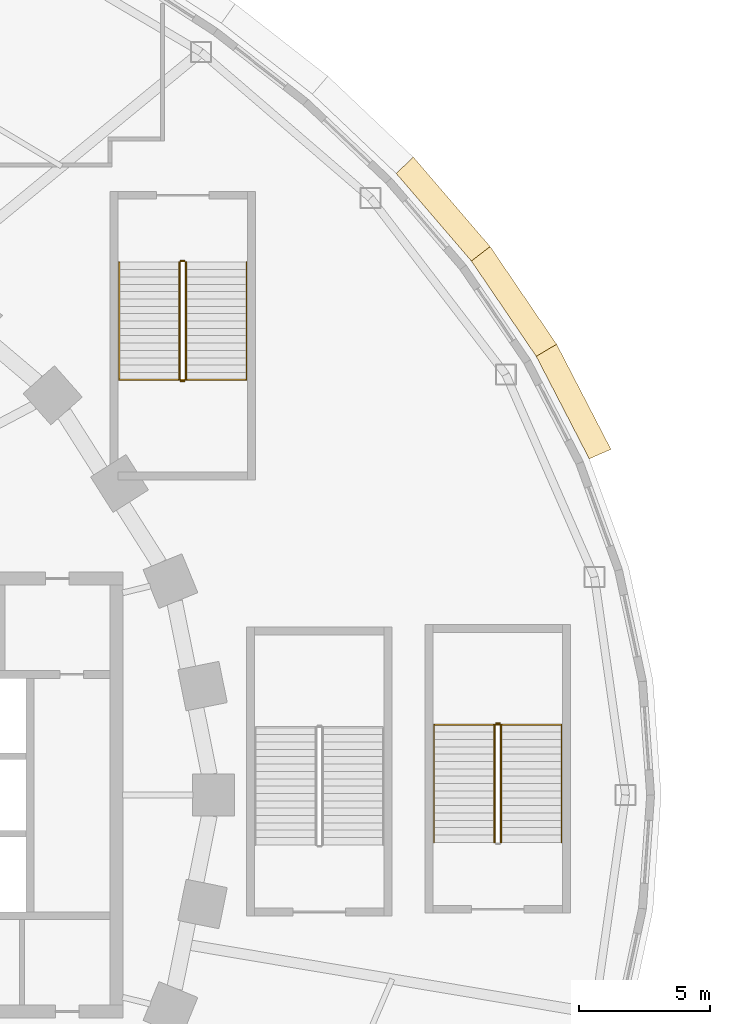
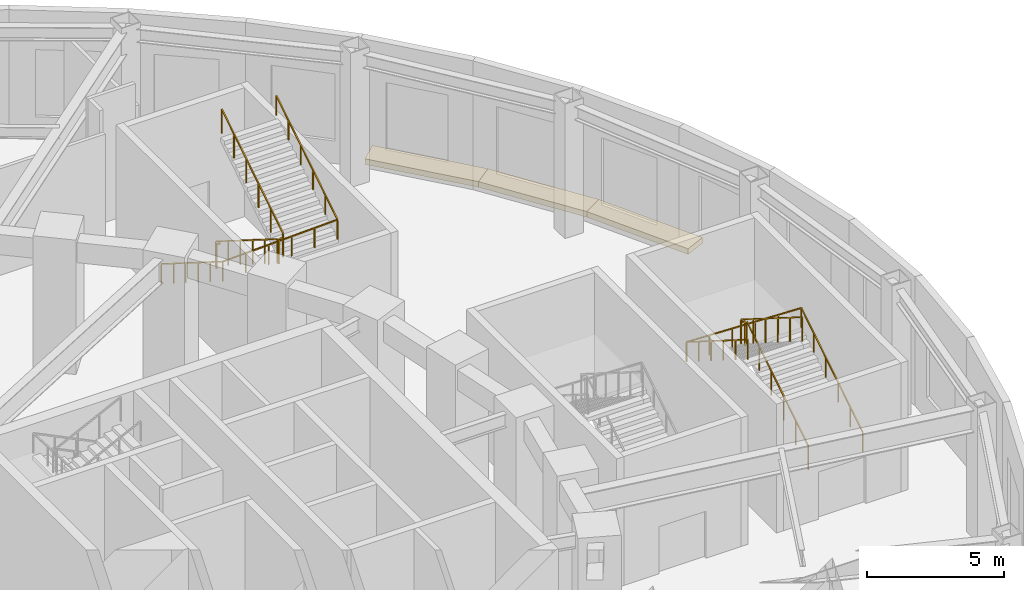
# One storey, part 72 of 74: 9 railings, 3 coverings.
"""IFC4 building model written with IfcOpenShell, lengths in metres."""

from ifc_helpers import new_model, si_unit, direction, frame, origin, origin_2d, place, context, subcontext, project, spatial, polyline, rectangle, outline, extrude, material, type_object, element, save


model = new_model("IFC4")

# Units and contexts
model_context = context("Model", 3, precision=1e-05, world=origin(), true_north=direction((0.0, 1.0)))
body_context = subcontext(model_context, "Body", "Model", "MODEL_VIEW")
ifc_project = project(units=[si_unit("LENGTHUNIT", "METRE"), si_unit("AREAUNIT", "SQUARE_METRE"), si_unit("VOLUMEUNIT", "CUBIC_METRE"), si_unit("PLANEANGLEUNIT", "RADIAN"), si_unit("MASSUNIT", "GRAM", prefix="KILO")], contexts=[model_context])

# Site, building, storey
site_placement = place(None, origin())
site = spatial("IfcSite", under=ifc_project, at=site_placement, CompositionType="ELEMENT")
building_placement = place(site_placement, origin())
building = spatial("IfcBuilding", under=site, at=building_placement, Name="Noorbagh Ring Tower", CompositionType="ELEMENT")
storey_placement = place(building_placement, frame((0.0, 0.0, 7.5)))
storey = spatial("IfcBuildingStorey", under=building, at=storey_placement, Name="L01", CompositionType="ELEMENT", Elevation=7.5)

# Railings
ifc_material_1 = material(Name="Stainless steel", Category="steel")
railing_type_1 = type_object("IfcRailingType", Name="GND-STAIR-GUARD", PredefinedType="GUARDRAIL", material=ifc_material_1)
railing_1_placement = place(storey_placement, frame((45.89990234375, -1.800048828125, 0.176513671875)))
element("IfcRailing", 1, at=railing_1_placement, inside=storey, type_object=railing_type_1, Name="L01 ST-P4 stair guard", PredefinedType="GUARDRAIL", context=body_context, shape_type="SweptSolid", body=[
    extrude(rectangle(XDim=0.048095703125, YDim=0.048095703125, at=origin_2d()), frame((0.0, 0.0, 1.076171875), z_axis=(0.0, 0.845997938375, 0.533186166611), x_axis=(-1.0, 0.0, 0.0)), (0.0, 0.0, 1.0), 5.29541015625),
    extrude(rectangle(XDim=0.0419921875, YDim=0.0419921875, at=origin_2d()), origin(), (0.0, 0.0, 1.0), 1.052001953125),
    extrude(rectangle(XDim=0.0419921875, YDim=0.0419921875, at=origin_2d()), frame((0.0, 0.89599609375, 0.564697265625)), (0.0, 0.0, 1.0), 1.052001953125),
    extrude(rectangle(XDim=0.0419921875, YDim=0.0419921875, at=origin_2d()), frame((0.0, 1.7919921875, 1.12939453125)), (0.0, 0.0, 1.0), 1.052001953125),
    extrude(rectangle(XDim=0.0419921875, YDim=0.0419921875, at=origin_2d()), frame((0.0, 2.68798828125, 1.694091796875)), (0.0, 0.0, 1.0), 1.052001953125),
    extrude(rectangle(XDim=0.0419921875, YDim=0.0419921875, at=origin_2d()), frame((0.0, 3.583984375, 2.2587890625)), (0.0, 0.0, 1.0), 1.052001953125),
    extrude(rectangle(XDim=0.0419921875, YDim=0.0419921875, at=origin_2d()), frame((0.0, 4.47998046875, 2.823486328125)), (0.0, 0.0, 1.0), 1.052001953125),
])
railing_2_placement = place(storey_placement, frame((45.85009765625, 2.72998046875, 3.0)))
element("IfcRailing", 2, at=railing_2_placement, inside=storey, type_object=railing_type_1, Name="L01 ST-P4 stair guard", PredefinedType="GUARDRAIL", context=body_context, shape_type="SweptSolid", body=[
    extrude(rectangle(XDim=0.048095703125, YDim=0.048095703125, at=origin_2d()), frame((0.0, 0.0, 1.076171875), z_axis=(-1.0, 0.0, 0.0), x_axis=(0.0, -1.0, 0.0)), (0.0, 0.0, 1.0), 0.150146484375),
    extrude(rectangle(XDim=0.0419921875, YDim=0.0419921875, at=origin_2d()), origin(), (0.0, 0.0, 1.0), 1.052001953125),
])
for number, where, name in (
    (3, (45.64990234375, 2.679931640625, 3.176513671875), "L01 ST-P4 stair guard"),
    (4, (33.64990234375, 20.300048828125, 0.176513671875), "L01 ST-P5 stair guard"),
):
    element("IfcRailing", number, at=place(storey_placement, frame(where)), inside=storey, type_object=railing_type_1, Name=name, PredefinedType="GUARDRAIL", context=body_context, shape_type="SweptSolid", body=[
        extrude(rectangle(XDim=0.048095703125, YDim=0.048095703125, at=origin_2d()), frame((0.0, 0.0, 1.076171875), z_axis=(0.0, -0.845997938375, 0.533186166611), x_axis=(1.0, 0.0, 0.0)), (0.0, 0.0, 1.0), 5.29541015625),
        extrude(rectangle(XDim=0.0419921875, YDim=0.0419921875, at=origin_2d()), origin(), (0.0, 0.0, 1.0), 1.052001953125),
        extrude(rectangle(XDim=0.0419921875, YDim=0.0419921875, at=origin_2d()), frame((0.0, -0.89599609375, 0.564697265625)), (0.0, 0.0, 1.0), 1.052001953125),
        extrude(rectangle(XDim=0.0419921875, YDim=0.0419921875, at=origin_2d()), frame((0.0, -1.7919921875, 1.12939453125)), (0.0, 0.0, 1.0), 1.052001953125),
        extrude(rectangle(XDim=0.0419921875, YDim=0.0419921875, at=origin_2d()), frame((0.0, -2.68798828125, 1.694091796875)), (0.0, 0.0, 1.0), 1.052001953125),
        extrude(rectangle(XDim=0.0419921875, YDim=0.0419921875, at=origin_2d()), frame((0.0, -3.583984375, 2.2587890625)), (0.0, 0.0, 1.0), 1.052001953125),
        extrude(rectangle(XDim=0.0419921875, YDim=0.0419921875, at=origin_2d()), frame((0.0, -4.47998046875, 2.823486328125)), (0.0, 0.0, 1.0), 1.052001953125),
    ])
railing_3_placement = place(storey_placement, frame((33.699951171875, 15.77001953125, 3.0)))
element("IfcRailing", 5, at=railing_3_placement, inside=storey, type_object=railing_type_1, Name="L01 ST-P5 stair guard", PredefinedType="GUARDRAIL", context=body_context, shape_type="SweptSolid", body=[
    extrude(rectangle(XDim=0.048095703125, YDim=0.048095703125, at=origin_2d()), frame((0.0, 0.0, 1.076171875), z_axis=(1.0, 0.0, 0.0), x_axis=(0.0, 1.0, 0.0)), (0.0, 0.0, 1.0), 0.150146484375),
    extrude(rectangle(XDim=0.0419921875, YDim=0.0419921875, at=origin_2d()), origin(), (0.0, 0.0, 1.0), 1.052001953125),
])
railing_4_placement = place(storey_placement, frame((33.89990234375, 15.820068359375, 3.176513671875)))
element("IfcRailing", 6, at=railing_4_placement, inside=storey, type_object=railing_type_1, Name="L01 ST-P5 stair guard", PredefinedType="GUARDRAIL", context=body_context, shape_type="SweptSolid", body=[
    extrude(rectangle(XDim=0.048095703125, YDim=0.048095703125, at=origin_2d()), frame((0.0, 0.0, 1.076171875), z_axis=(0.0, 0.845997938375, 0.533186166611), x_axis=(-1.0, 0.0, 0.0)), (0.0, 0.0, 1.0), 5.29541015625),
    extrude(rectangle(XDim=0.0419921875, YDim=0.0419921875, at=origin_2d()), origin(), (0.0, 0.0, 1.0), 1.052001953125),
    extrude(rectangle(XDim=0.0419921875, YDim=0.0419921875, at=origin_2d()), frame((0.0, 0.89599609375, 0.564697265625)), (0.0, 0.0, 1.0), 1.052001953125),
    extrude(rectangle(XDim=0.0419921875, YDim=0.0419921875, at=origin_2d()), frame((0.0, 1.7919921875, 1.12939453125)), (0.0, 0.0, 1.0), 1.052001953125),
    extrude(rectangle(XDim=0.0419921875, YDim=0.0419921875, at=origin_2d()), frame((0.0, 2.68798828125, 1.694091796875)), (0.0, 0.0, 1.0), 1.052001953125),
    extrude(rectangle(XDim=0.0419921875, YDim=0.0419921875, at=origin_2d()), frame((0.0, 3.583984375, 2.2587890625)), (0.0, 0.0, 1.0), 1.052001953125),
    extrude(rectangle(XDim=0.0419921875, YDim=0.0419921875, at=origin_2d()), frame((0.0, 4.47998046875, 2.823486328125)), (0.0, 0.0, 1.0), 1.052001953125),
])
railing_5_placement = place(storey_placement, frame((33.699951171875, 20.35009765625, 0.0)))
element("IfcRailing", 7, at=railing_5_placement, inside=storey, type_object=railing_type_1, Name="L01 ST-P5 stair guard", PredefinedType="GUARDRAIL", context=body_context, shape_type="SweptSolid", body=[
    extrude(rectangle(XDim=0.048095703125, YDim=0.048095703125, at=origin_2d()), frame((0.0, 0.0, 1.076171875), z_axis=(1.0, 0.0, 0.0), x_axis=(0.0, 1.0, 0.0)), (0.0, 0.0, 1.0), 0.150146484375),
    extrude(rectangle(XDim=0.0419921875, YDim=0.0419921875, at=origin_2d()), origin(), (0.0, 0.0, 1.0), 1.052001953125),
])
ifc_material_2 = material(Name="Stainless steel", Category="steel")
railing_type_2 = type_object("IfcRailingType", Name="GND-STAIR-HANDRAIL", PredefinedType="HANDRAIL", material=ifc_material_2)
railing_6_placement = place(storey_placement, frame((48.199951171875, -1.800048828125, 0.176513671875)))
element("IfcRailing", 8, at=railing_6_placement, inside=storey, type_object=railing_type_2, Name="L01 ST-P4 stair handrail", PredefinedType="HANDRAIL", context=body_context, shape_type="SweptSolid", body=[
    extrude(rectangle(XDim=0.048095703125, YDim=0.048095703125, at=origin_2d()), frame((0.0, 0.0, 0.8759765625), z_axis=(0.0, 0.845997938375, 0.533186166611), x_axis=(-1.0, 0.0, 0.0)), (0.0, 0.0, 1.0), 5.29541015625),
    extrude(rectangle(XDim=0.048095703125, YDim=0.048095703125, at=origin_2d()), frame((0.0, 4.47998046875, 3.69921875), z_axis=(-0.999338334855, 0.0, 0.036371589031), x_axis=(0.0, -1.0, 0.0)), (0.0, 0.0, 1.0), 4.85302734375),
    extrude(rectangle(XDim=0.048095703125, YDim=0.048095703125, at=origin_2d()), frame((-4.849853515625, 4.47998046875, 3.8759765625), z_axis=(0.0, -0.845997938375, 0.533186166611), x_axis=(1.0, 0.0, 0.0)), (0.0, 0.0, 1.0), 5.29541015625),
    extrude(rectangle(XDim=0.0419921875, YDim=0.0419921875, at=origin_2d()), origin(), (0.0, 0.0, 1.0), 0.851806640625),
    extrude(rectangle(XDim=0.0419921875, YDim=0.0419921875, at=origin_2d()), frame((0.0, 0.89599609375, 0.564697265625)), (0.0, 0.0, 1.0), 0.851806640625),
    extrude(rectangle(XDim=0.0419921875, YDim=0.0419921875, at=origin_2d()), frame((0.0, 1.7919921875, 1.12939453125)), (0.0, 0.0, 1.0), 0.851806640625),
    extrude(rectangle(XDim=0.0419921875, YDim=0.0419921875, at=origin_2d()), frame((0.0, 2.68798828125, 1.694091796875)), (0.0, 0.0, 1.0), 0.851806640625),
    extrude(rectangle(XDim=0.0419921875, YDim=0.0419921875, at=origin_2d()), frame((0.0, 3.583984375, 2.2587890625)), (0.0, 0.0, 1.0), 0.851806640625),
    extrude(rectangle(XDim=0.0419921875, YDim=0.0419921875, at=origin_2d()), frame((0.0, 4.47998046875, 2.823486328125)), (0.0, 0.0, 1.0), 0.851806640625),
    extrude(rectangle(XDim=0.0419921875, YDim=0.0419921875, at=origin_2d()), frame((-0.969970703125, 4.47998046875, 2.85888671875)), (0.0, 0.0, 1.0), 0.851806640625),
    extrude(rectangle(XDim=0.0419921875, YDim=0.0419921875, at=origin_2d()), frame((-1.93994140625, 4.47998046875, 2.89404296875)), (0.0, 0.0, 1.0), 0.851806640625),
    extrude(rectangle(XDim=0.0419921875, YDim=0.0419921875, at=origin_2d()), frame((-2.909912109375, 4.47998046875, 2.929443359375)), (0.0, 0.0, 1.0), 0.851806640625),
    extrude(rectangle(XDim=0.0419921875, YDim=0.0419921875, at=origin_2d()), frame((-3.8798828125, 4.47998046875, 2.964599609375)), (0.0, 0.0, 1.0), 0.851806640625),
    extrude(rectangle(XDim=0.0419921875, YDim=0.0419921875, at=origin_2d()), frame((-4.849853515625, 4.47998046875, 3.0)), (0.0, 0.0, 1.0), 0.851806640625),
    extrude(rectangle(XDim=0.0419921875, YDim=0.0419921875, at=origin_2d()), frame((-4.849853515625, 3.583984375, 3.564697265625)), (0.0, 0.0, 1.0), 0.851806640625),
    extrude(rectangle(XDim=0.0419921875, YDim=0.0419921875, at=origin_2d()), frame((-4.849853515625, 2.68798828125, 4.12939453125)), (0.0, 0.0, 1.0), 0.851806640625),
    extrude(rectangle(XDim=0.0419921875, YDim=0.0419921875, at=origin_2d()), frame((-4.849853515625, 1.7919921875, 4.694091796875)), (0.0, 0.0, 1.0), 0.851806640625),
    extrude(rectangle(XDim=0.0419921875, YDim=0.0419921875, at=origin_2d()), frame((-4.849853515625, 0.89599609375, 5.2587890625)), (0.0, 0.0, 1.0), 0.851806640625),
    extrude(rectangle(XDim=0.0419921875, YDim=0.0419921875, at=origin_2d()), frame((-4.849853515625, 0.0, 5.823486328125)), (0.0, 0.0, 1.0), 0.851806640625),
])
railing_7_placement = place(storey_placement, frame((31.35009765625, 20.300048828125, 0.176513671875)))
element("IfcRailing", 9, at=railing_7_placement, inside=storey, type_object=railing_type_2, Name="L01 ST-P5 stair handrail", PredefinedType="HANDRAIL", context=body_context, shape_type="SweptSolid", body=[
    extrude(rectangle(XDim=0.048095703125, YDim=0.048095703125, at=origin_2d()), frame((0.0, 0.0, 0.8759765625), z_axis=(0.0, -0.845997938375, 0.533186166611), x_axis=(1.0, 0.0, 0.0)), (0.0, 0.0, 1.0), 5.29541015625),
    extrude(rectangle(XDim=0.048095703125, YDim=0.048095703125, at=origin_2d()), frame((0.0, -4.47998046875, 3.69921875), z_axis=(0.999338334855, 0.0, 0.036371589031), x_axis=(0.0, 1.0, 0.0)), (0.0, 0.0, 1.0), 4.85302734375),
    extrude(rectangle(XDim=0.048095703125, YDim=0.048095703125, at=origin_2d()), frame((4.849853515625, -4.47998046875, 3.8759765625), z_axis=(0.0, 0.845997938375, 0.533186166611), x_axis=(-1.0, 0.0, 0.0)), (0.0, 0.0, 1.0), 5.29541015625),
    extrude(rectangle(XDim=0.0419921875, YDim=0.0419921875, at=origin_2d()), origin(), (0.0, 0.0, 1.0), 0.851806640625),
    extrude(rectangle(XDim=0.0419921875, YDim=0.0419921875, at=origin_2d()), frame((0.0, -0.89599609375, 0.564697265625)), (0.0, 0.0, 1.0), 0.851806640625),
    extrude(rectangle(XDim=0.0419921875, YDim=0.0419921875, at=origin_2d()), frame((0.0, -1.7919921875, 1.12939453125)), (0.0, 0.0, 1.0), 0.851806640625),
    extrude(rectangle(XDim=0.0419921875, YDim=0.0419921875, at=origin_2d()), frame((0.0, -2.68798828125, 1.694091796875)), (0.0, 0.0, 1.0), 0.851806640625),
    extrude(rectangle(XDim=0.0419921875, YDim=0.0419921875, at=origin_2d()), frame((0.0, -3.583984375, 2.2587890625)), (0.0, 0.0, 1.0), 0.851806640625),
    extrude(rectangle(XDim=0.0419921875, YDim=0.0419921875, at=origin_2d()), frame((0.0, -4.47998046875, 2.823486328125)), (0.0, 0.0, 1.0), 0.851806640625),
    extrude(rectangle(XDim=0.0419921875, YDim=0.0419921875, at=origin_2d()), frame((0.969970703125, -4.47998046875, 2.85888671875)), (0.0, 0.0, 1.0), 0.851806640625),
    extrude(rectangle(XDim=0.0419921875, YDim=0.0419921875, at=origin_2d()), frame((1.93994140625, -4.47998046875, 2.89404296875)), (0.0, 0.0, 1.0), 0.851806640625),
    extrude(rectangle(XDim=0.0419921875, YDim=0.0419921875, at=origin_2d()), frame((2.909912109375, -4.47998046875, 2.929443359375)), (0.0, 0.0, 1.0), 0.851806640625),
    extrude(rectangle(XDim=0.0419921875, YDim=0.0419921875, at=origin_2d()), frame((3.8798828125, -4.47998046875, 2.964599609375)), (0.0, 0.0, 1.0), 0.851806640625),
    extrude(rectangle(XDim=0.0419921875, YDim=0.0419921875, at=origin_2d()), frame((4.849853515625, -4.47998046875, 3.0)), (0.0, 0.0, 1.0), 0.851806640625),
    extrude(rectangle(XDim=0.0419921875, YDim=0.0419921875, at=origin_2d()), frame((4.849853515625, -3.583984375, 3.564697265625)), (0.0, 0.0, 1.0), 0.851806640625),
    extrude(rectangle(XDim=0.0419921875, YDim=0.0419921875, at=origin_2d()), frame((4.849853515625, -2.68798828125, 4.12939453125)), (0.0, 0.0, 1.0), 0.851806640625),
    extrude(rectangle(XDim=0.0419921875, YDim=0.0419921875, at=origin_2d()), frame((4.849853515625, -1.7919921875, 4.694091796875)), (0.0, 0.0, 1.0), 0.851806640625),
    extrude(rectangle(XDim=0.0419921875, YDim=0.0419921875, at=origin_2d()), frame((4.849853515625, -0.89599609375, 5.2587890625)), (0.0, 0.0, 1.0), 0.851806640625),
    extrude(rectangle(XDim=0.0419921875, YDim=0.0419921875, at=origin_2d()), frame((4.849853515625, 0.0, 5.823486328125)), (0.0, 0.0, 1.0), 0.851806640625),
])

# Coverings
ifc_material_3 = material(Name="Red sandstone eave", Category="masonry")
covering_type = type_object("IfcCoveringType", Name="STY-CHHAJJA", PredefinedType="USERDEFINED", material=ifc_material_3)
covering_1_placement = place(storey_placement, frame((0.0, 0.0, -0.25)))
element("IfcCovering", 10, at=covering_1_placement, inside=storey, type_object=covering_type, Name="Chhajja eave", ObjectType="CHHAJJA", PredefinedType="USERDEFINED", context=body_context, shape_type="SweptSolid", body=[
    extrude(outline(polyline([(49.26171875, 12.809326171875), (47.2431640625, 16.71337890625), (48.017578125, 17.175048828125), (50.087646484375, 13.171142578125), (49.26171875, 12.809326171875)])), origin(), (0.0, 0.0, 1.0), 0.25),
])
covering_2_placement = place(storey_placement, frame((0.0, 0.0, -0.25)))
element("IfcCovering", 11, at=covering_2_placement, inside=storey, type_object=covering_type, Name="Chhajja eave", ObjectType="CHHAJJA", PredefinedType="USERDEFINED", context=body_context, shape_type="SweptSolid", body=[
    extrude(outline(polyline([(47.2431640625, 16.71337890625), (44.77001953125, 20.346923828125), (45.485595703125, 20.89501953125), (48.017578125, 17.175048828125), (47.2431640625, 16.71337890625)])), origin(), (0.0, 0.0, 1.0), 0.25),
])
covering_3_placement = place(storey_placement, frame((0.0, 0.0, -0.25)))
element("IfcCovering", 12, at=covering_3_placement, inside=storey, type_object=covering_type, Name="Chhajja eave", ObjectType="CHHAJJA", PredefinedType="USERDEFINED", context=body_context, shape_type="SweptSolid", body=[
    extrude(outline(polyline([(44.77001953125, 20.346923828125), (41.906494140625, 23.682373046875), (42.55908203125, 24.3037109375), (45.485595703125, 20.89501953125), (44.77001953125, 20.346923828125)])), origin(), (0.0, 0.0, 1.0), 0.25),
])

save(model, "model.ifc")
